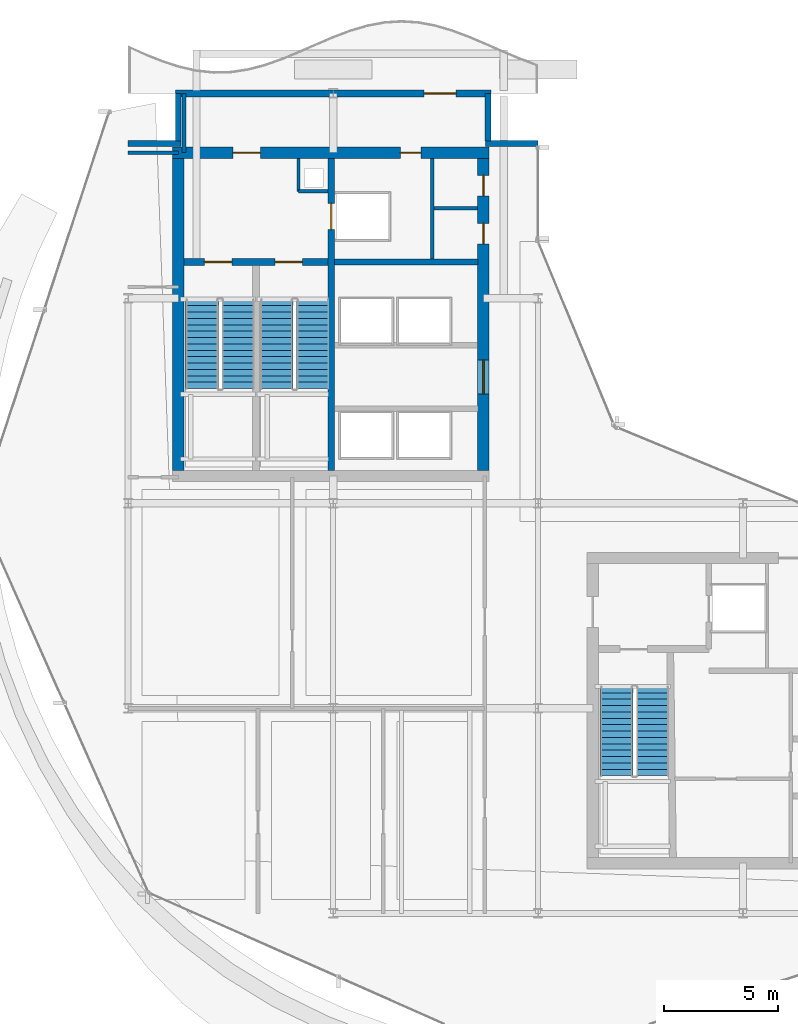
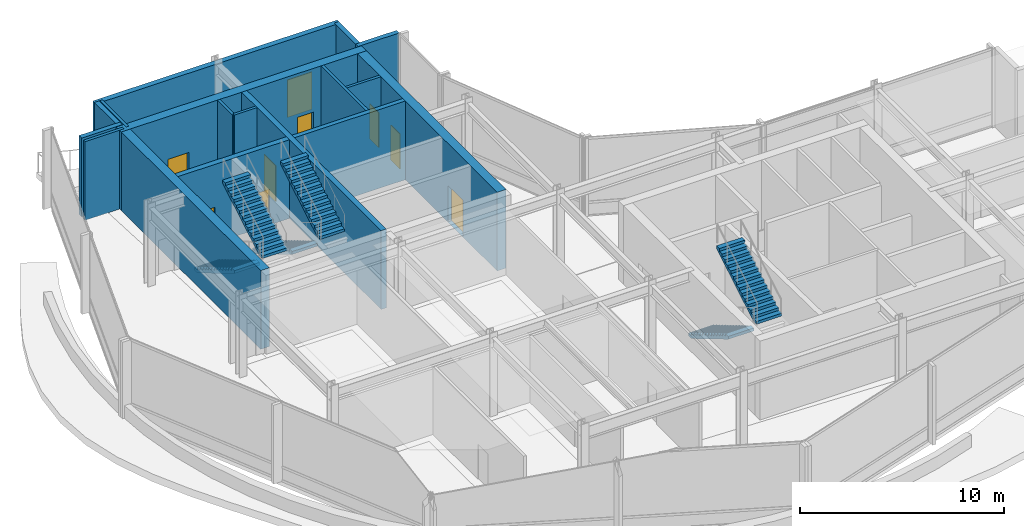
# One storey, part 22 of 29: 17 walls, 9 doors, 6 stair flights, 9 openings, 3 elements without a shape of their own.
"""IFC4 building model written with IfcOpenShell, lengths in metres."""

from ifc_helpers import new_model, si_unit, direction, frame, frame_2d, origin, place, context, subcontext, project, spatial, polyline, rectangle, outline, extrude, material, layer, layer_set, type_object, element, fill, aggregate, save


model = new_model("IFC4")

# Units and contexts
model_context = context("Model", 3, precision=1e-05, world=origin(), true_north=direction((0.0, 1.0)))
body_context = subcontext(model_context, "Body", "Model", "MODEL_VIEW")
ifc_project = project(units=[si_unit("LENGTHUNIT", "METRE"), si_unit("AREAUNIT", "SQUARE_METRE"), si_unit("VOLUMEUNIT", "CUBIC_METRE"), si_unit("PLANEANGLEUNIT", "RADIAN"), si_unit("MASSUNIT", "GRAM", prefix="KILO")], contexts=[model_context])

# Site, building, storey
site_placement = place(None, origin())
site = spatial("IfcSite", under=ifc_project, at=site_placement, CompositionType="ELEMENT")
building_placement = place(site_placement, origin())
building = spatial("IfcBuilding", under=site, at=building_placement, Name="Solvaryn Broadcast Tower", CompositionType="ELEMENT")
storey_placement = place(building_placement, frame((0.0, 0.0, 169.199951171875)))
storey = spatial("IfcBuildingStorey", under=building, at=storey_placement, Name="L42", CompositionType="ELEMENT", Elevation=169.199951171875)

# Wall, openings, doors
ifc_material_1 = material(Name="Concrete f'c 70 MPa", Category="concrete")
ifc_layer_1 = layer(ifc_material_1, 0.5)
ifc_layer_set_1 = layer_set([ifc_layer_1], Name="CW-SHEAR-500")
wall_type_1 = type_object("IfcWallType", Name="CW-SHEAR-500", PredefinedType="SHEAR", material=ifc_layer_set_1)
wall_1_placement = place(storey_placement, frame((24.85009765625, 42.39990234375, 0.0), z_axis=(0.0, 0.0, 1.0), x_axis=(-1.0, 0.0, 0.0)))
wall_1 = element("IfcWall", 1, at=wall_1_placement, inside=storey, type_object=wall_type_1, Name="L42 West Core North Shear Wall", PredefinedType="SHEAR", context=body_context, shape_type="SweptSolid", body=[
    extrude(rectangle(XDim=13.900146484375, YDim=0.5, at=frame_2d((6.9501953125, 0.0))), origin(), (0.0, 0.0, 1.0), 4.719970703125),
])
opening_1_placement = place(wall_1_placement, frame((10.050048828125, 0.0, 0.0)))
opening_1 = element("IfcOpeningElement", 2, at=opening_1_placement, cuts=wall_1, Name="Opening FD90A", PredefinedType="OPENING", context=body_context, shape_type="SweptSolid", body=[
    extrude(rectangle(XDim=1.199951171875, YDim=2.14990234375, at=frame_2d((0.60009765625, 1.074951171875))), frame((0.0, 0.260009765625, 0.0), z_axis=(0.0, -1.0, 0.0), x_axis=(1.0, 0.0, 0.0)), (0.0, 0.0, 1.0), 0.52001953125),
])
opening_2_placement = place(wall_1_placement, frame((3.0, 0.0, 0.0)))
opening_2 = element("IfcOpeningElement", 3, at=opening_2_placement, cuts=wall_1, Name="Opening FD60C", PredefinedType="OPENING", context=body_context, shape_type="SweptSolid", body=[
    extrude(rectangle(XDim=0.89990234375, YDim=2.10009765625, at=frame_2d((0.449951171875, 1.050048828125))), frame((0.0, 0.260009765625, 0.0), z_axis=(0.0, -1.0, 0.0), x_axis=(1.0, 0.0, 0.0)), (0.0, 0.0, 1.0), 0.52001953125),
])
ifc_material_2 = material(Name="Flush Acoustic Steel and Timber Door Assembly", Category="steel")
door_type_1 = type_object("IfcDoorType", Name="FD60-SERV-900X2100", OperationType="NOTDEFINED", PredefinedType="DOOR", material=ifc_material_2)
door_1_placement = place(opening_2_placement, origin())
door_1 = element("IfcDoor", 4, at=door_1_placement, inside=storey, type_object=door_type_1, Name="L42 West Core Fiber Riser Door", OperationType="SINGLE_SWING_RIGHT", OverallHeight=2.10009765625, OverallWidth=0.89990234375, PredefinedType="DOOR", context=body_context, shape_type="SweptSolid", body=[
    extrude(rectangle(XDim=0.89990234375, YDim=2.10009765625, at=frame_2d((0.449951171875, 1.050048828125))), frame((0.0, 0.02490234375, 0.0), z_axis=(0.0, -1.0, 0.0), x_axis=(1.0, 0.0, 0.0)), (0.0, 0.0, 1.0), 0.050048828125),
])
fill(opening_2, door_1)
ifc_material_3 = material(Name="Flush Acoustic Steel and Timber Door Assembly", Category="steel")
door_type_2 = type_object("IfcDoorType", Name="FD90-STAIR-1200X2150", OperationType="NOTDEFINED", PredefinedType="DOOR", material=ifc_material_3)
door_2_placement = place(opening_1_placement, origin())
door_2 = element("IfcDoor", 5, at=door_2_placement, inside=storey, type_object=door_type_2, Name="L42 West FSAE Lobby Corridor Door", OperationType="SINGLE_SWING_LEFT", OverallHeight=2.14990234375, OverallWidth=1.199951171875, PredefinedType="DOOR", context=body_context, shape_type="SweptSolid", body=[
    extrude(rectangle(XDim=1.199951171875, YDim=2.14990234375, at=frame_2d((0.60009765625, 1.074951171875))), frame((0.0, 0.02490234375, 0.0), z_axis=(0.0, -1.0, 0.0), x_axis=(1.0, 0.0, 0.0)), (0.0, 0.0, 1.0), 0.050048828125),
])
fill(opening_1, door_2)

# Wall
wall_2_placement = place(storey_placement, frame((11.199951171875, 42.14990234375, 0.0), z_axis=(0.0, 0.0, 1.0), x_axis=(0.0, -1.0, 0.0)))
element("IfcWall", 6, at=wall_2_placement, inside=storey, type_object=wall_type_1, Name="L42 West Core West Shear Wall", PredefinedType="SHEAR", context=body_context, shape_type="SweptSolid", body=[
    extrude(rectangle(XDim=13.699951171875, YDim=0.5, at=frame_2d((6.85009765625, 0.0))), origin(), (0.0, 0.0, 1.0), 4.719970703125),
])

# Wall, openings, doors
wall_3_placement = place(storey_placement, frame((24.60009765625, 28.449951171875, 0.0), z_axis=(0.0, 0.0, 1.0), x_axis=(0.0, 1.0, 0.0)))
wall_3 = element("IfcWall", 7, at=wall_3_placement, inside=storey, type_object=wall_type_1, Name="L42 West Core East Shear Wall", PredefinedType="SHEAR", context=body_context, shape_type="SweptSolid", body=[
    extrude(rectangle(XDim=13.699951171875, YDim=0.5, at=frame_2d((6.85009765625, 0.0))), origin(), (0.0, 0.0, 1.0), 4.719970703125),
])
opening_3_placement = place(wall_3_placement, frame((3.35009765625, 0.0, 0.0)))
opening_3 = element("IfcOpeningElement", 8, at=opening_3_placement, cuts=wall_3, Name="Opening FD60A", PredefinedType="OPENING", context=body_context, shape_type="SweptSolid", body=[
    extrude(rectangle(XDim=1.5, YDim=2.199951171875, at=frame_2d((0.75, 1.10009765625))), frame((0.0, 0.260009765625, 0.0), z_axis=(0.0, -1.0, 0.0), x_axis=(1.0, 0.0, 0.0)), (0.0, 0.0, 1.0), 0.52001953125),
])
opening_4_placement = place(wall_3_placement, frame((9.949951171875, 0.0, 0.0)))
opening_4 = element("IfcOpeningElement", 9, at=opening_4_placement, cuts=wall_3, Name="Opening FD60C", PredefinedType="OPENING", context=body_context, shape_type="SweptSolid", body=[
    extrude(rectangle(XDim=0.89990234375, YDim=2.10009765625, at=frame_2d((0.449951171875, 1.050048828125))), frame((0.0, 0.260009765625, 0.0), z_axis=(0.0, -1.0, 0.0), x_axis=(1.0, 0.0, 0.0)), (0.0, 0.0, 1.0), 0.52001953125),
])
opening_5_placement = place(wall_3_placement, frame((12.050048828125, 0.0, 0.0)))
opening_5 = element("IfcOpeningElement", 10, at=opening_5_placement, cuts=wall_3, Name="Opening FD60C", PredefinedType="OPENING", context=body_context, shape_type="SweptSolid", body=[
    extrude(rectangle(XDim=0.89990234375, YDim=2.10009765625, at=frame_2d((0.449951171875, 1.050048828125))), frame((0.0, 0.260009765625, 0.0), z_axis=(0.0, -1.0, 0.0), x_axis=(1.0, 0.0, 0.0)), (0.0, 0.0, 1.0), 0.52001953125),
])
ifc_material_4 = material(Name="Flush Acoustic Steel and Timber Door Assembly", Category="steel")
door_type_3 = type_object("IfcDoorType", Name="FD60-CORR-1500X2200", OperationType="NOTDEFINED", PredefinedType="DOOR", material=ifc_material_4)
door_3_placement = place(opening_3_placement, origin())
door_3 = element("IfcDoor", 11, at=door_3_placement, inside=storey, type_object=door_type_3, Name="L42 West Elevator Lobby Corridor Door", OperationType="DOUBLE_DOOR_SINGLE_SWING", OverallHeight=2.199951171875, OverallWidth=1.5, PredefinedType="DOOR", context=body_context, shape_type="SweptSolid", body=[
    extrude(rectangle(XDim=1.5, YDim=2.199951171875, at=frame_2d((0.75, 1.10009765625))), frame((0.0, 0.02490234375, 0.0), z_axis=(0.0, -1.0, 0.0), x_axis=(1.0, 0.0, 0.0)), (0.0, 0.0, 1.0), 0.050048828125),
])
fill(opening_3, door_3)
door_4_placement = place(opening_4_placement, origin())
door_4 = element("IfcDoor", 12, at=door_4_placement, inside=storey, type_object=door_type_1, Name="L42 West Core Service Door 1", OperationType="SINGLE_SWING_LEFT", OverallHeight=2.10009765625, OverallWidth=0.89990234375, PredefinedType="DOOR", context=body_context, shape_type="SweptSolid", body=[
    extrude(rectangle(XDim=0.89990234375, YDim=2.10009765625, at=frame_2d((0.449951171875, 1.050048828125))), frame((0.0, 0.02490234375, 0.0), z_axis=(0.0, -1.0, 0.0), x_axis=(1.0, 0.0, 0.0)), (0.0, 0.0, 1.0), 0.050048828125),
])
fill(opening_4, door_4)
door_5_placement = place(opening_5_placement, origin())
door_5 = element("IfcDoor", 13, at=door_5_placement, inside=storey, type_object=door_type_1, Name="L42 West Core Janitor Door", OperationType="SINGLE_SWING_RIGHT", OverallHeight=2.10009765625, OverallWidth=0.89990234375, PredefinedType="DOOR", context=body_context, shape_type="SweptSolid", body=[
    extrude(rectangle(XDim=0.89990234375, YDim=2.10009765625, at=frame_2d((0.449951171875, 1.050048828125))), frame((0.0, 0.02490234375, 0.0), z_axis=(0.0, -1.0, 0.0), x_axis=(1.0, 0.0, 0.0)), (0.0, 0.0, 1.0), 0.050048828125),
])
fill(opening_5, door_5)

# Walls
ifc_material_5 = material(Name="Concrete f'c 50 MPa", Category="concrete")
ifc_layer_2 = layer(ifc_material_5, 0.260009765625)
ifc_layer_set_2 = layer_set([ifc_layer_2], Name="EW-PIER-260")
wall_type_2 = type_object("IfcWallType", Name="EW-PIER-260", PredefinedType="SOLIDWALL", material=ifc_layer_set_2)
wall_4_placement = place(storey_placement, frame((9.0, 42.800048828125, 0.0), z_axis=(0.0, 0.0, 1.0), x_axis=(1.0, 0.0, 0.0)))
element("IfcWall", 14, at=wall_4_placement, inside=storey, type_object=wall_type_2, Name="L42 Notched Corner Pier Wall NNW1", PredefinedType="SOLIDWALL", context=body_context, shape_type="SweptSolid", body=[
    extrude(rectangle(XDim=2.320068359375, YDim=0.260009765625, at=frame_2d((1.16015625, 0.0))), origin(), (0.0, 0.0, 1.0), 4.719970703125),
])
for number, where, z_axis, x_axis, name in (
    (15, (11.199951171875, 42.919921875, 0.0), (0.0, 0.0, 1.0), (0.0, 1.0, 0.0), "L42 Notched Corner Pier Wall NNW2"),
    (16, (24.800048828125, 45.0, 0.0), (0.0, 0.0, 1.0), (0.0, -1.0, 0.0), "L42 Notched Corner Pier Wall NNE1"),
):
    element("IfcWall", number, at=place(storey_placement, frame(where, z_axis=z_axis, x_axis=x_axis)), inside=storey, type_object=wall_type_2, Name=name, PredefinedType="SOLIDWALL", context=body_context, shape_type="SweptSolid", body=[
        extrude(rectangle(XDim=2.080078125, YDim=0.260009765625, at=frame_2d((1.0400390625, 0.0))), origin(), (0.0, 0.0, 1.0), 4.719970703125),
    ])
wall_5_placement = place(storey_placement, frame((24.679931640625, 42.800048828125, 0.0), z_axis=(0.0, 0.0, 1.0), x_axis=(1.0, 0.0, 0.0)))
element("IfcWall", 17, at=wall_5_placement, inside=storey, type_object=wall_type_2, Name="L42 Notched Corner Pier Wall NNE2", PredefinedType="SOLIDWALL", context=body_context, shape_type="SweptSolid", body=[
    extrude(rectangle(XDim=2.320068359375, YDim=0.260009765625, at=frame_2d((1.16015625, 0.0))), origin(), (0.0, 0.0, 1.0), 4.719970703125),
])

# Wall, opening, door
ifc_material_6 = material(Name="Concrete f'c 50 MPa", Category="concrete")
ifc_layer_3 = layer(ifc_material_6, 0.300048828125)
ifc_layer_set_3 = layer_set([ifc_layer_3], Name="EW-TER-300")
wall_type_3 = type_object("IfcWallType", Name="EW-TER-300", PredefinedType="SOLIDWALL", material=ifc_layer_set_3)
wall_6_placement = place(storey_placement, frame((11.070068359375, 45.0, 0.0), z_axis=(0.0, 0.0, 1.0), x_axis=(1.0, 0.0, 0.0)))
wall_6 = element("IfcWall", 18, at=wall_6_placement, inside=storey, type_object=wall_type_3, Name="L42 North Sky-Garden Wall", PredefinedType="SOLIDWALL", context=body_context, shape_type="SweptSolid", body=[
    extrude(rectangle(XDim=13.85986328125, YDim=0.300048828125, at=frame_2d((6.929931640625, 0.0))), origin(), (0.0, 0.0, 1.0), 4.719970703125),
])
opening_6_placement = place(wall_6_placement, frame((10.929931640625, 0.0, 0.0)))
opening_6 = element("IfcOpeningElement", 19, at=opening_6_placement, cuts=wall_6, Name="Opening EDS42", PredefinedType="OPENING", context=body_context, shape_type="SweptSolid", body=[
    extrude(rectangle(XDim=1.39990234375, YDim=2.25, at=frame_2d((0.699951171875, 1.125))), frame((0.0, 0.159912109375, 0.0), z_axis=(0.0, -1.0, 0.0), x_axis=(1.0, 0.0, 0.0)), (0.0, 0.0, 1.0), 0.320068359375),
])
ifc_material_7 = material(Name="Insulated Architectural Aluminium and Glazing", Category="aluminium")
door_type_4 = type_object("IfcDoorType", Name="ED-SKYG-1400X2250", OperationType="NOTDEFINED", PredefinedType="DOOR", material=ifc_material_7)
door_6_placement = place(opening_6_placement, origin())
door_6 = element("IfcDoor", 20, at=door_6_placement, inside=storey, type_object=door_type_4, Name="L42 North Sky-Garden Terrace Door", OperationType="SINGLE_SWING_LEFT", OverallHeight=2.25, OverallWidth=1.39990234375, PredefinedType="DOOR", context=body_context, shape_type="SweptSolid", body=[
    extrude(rectangle(XDim=1.39990234375, YDim=2.25, at=frame_2d((0.699951171875, 1.125))), frame((0.0, 0.02490234375, 0.0), z_axis=(0.0, -1.0, 0.0), x_axis=(1.0, 0.0, 0.0)), (0.0, 0.0, 1.0), 0.050048828125),
])
fill(opening_6, door_6)

# Walls
ifc_material_8 = material(Name="Metal-Stud Service Core Partition")
ifc_layer_4 = layer(ifc_material_8, 0.14990234375)
ifc_layer_set_4 = layer_set([ifc_layer_4], Name="IW-PART-150")
wall_type_4 = type_object("IfcWallType", Name="IW-PART-150", PredefinedType="PARTITIONING", material=ifc_layer_set_4)
wall_7_placement = place(storey_placement, frame((16.47998046875, 40.699951171875, 0.0), z_axis=(0.0, 0.0, 1.0), x_axis=(1.0, 0.0, 0.0)))
element("IfcWall", 21, at=wall_7_placement, inside=storey, type_object=wall_type_4, Name="L42 West Core Riser Shaft South Wall", PredefinedType="PARTITIONING", context=body_context, shape_type="SweptSolid", body=[
    extrude(rectangle(XDim=1.2900390625, YDim=0.14990234375, at=frame_2d((0.64501953125, 0.0))), origin(), (0.0, 0.0, 1.0), 4.719970703125),
])
wall_8_placement = place(storey_placement, frame((16.47998046875, 40.699951171875, 0.0), z_axis=(0.0, 0.0, 1.0), x_axis=(0.0, 1.0, 0.0)))
element("IfcWall", 22, at=wall_8_placement, inside=storey, type_object=wall_type_4, Name="L42 West Core Riser Shaft West Wall", PredefinedType="PARTITIONING", context=body_context, shape_type="SweptSolid", body=[
    extrude(rectangle(XDim=1.449951171875, YDim=0.14990234375, at=frame_2d((0.72509765625, 0.0))), origin(), (0.0, 0.0, 1.0), 4.719970703125),
])
wall_9_placement = place(storey_placement, frame((22.35009765625, 37.72998046875, 0.0), z_axis=(0.0, 0.0, 1.0), x_axis=(0.0, 1.0, 0.0)))
element("IfcWall", 23, at=wall_9_placement, inside=storey, type_object=wall_type_4, Name="L42 Interior Partition IW-L42-CWS-V", PredefinedType="PARTITIONING", context=body_context, shape_type="SweptSolid", body=[
    extrude(rectangle(XDim=4.419921875, YDim=0.14990234375, at=frame_2d((2.2099609375, 0.0))), origin(), (0.0, 0.0, 1.0), 4.719970703125),
])
wall_10_placement = place(storey_placement, frame((22.429931640625, 39.949951171875, 0.0), z_axis=(0.0, 0.0, 1.0), x_axis=(1.0, 0.0, 0.0)))
element("IfcWall", 24, at=wall_10_placement, inside=storey, type_object=wall_type_4, Name="L42 Interior Partition IW-L42-CWS-H", PredefinedType="PARTITIONING", context=body_context, shape_type="SweptSolid", body=[
    extrude(rectangle(XDim=1.920166015625, YDim=0.14990234375, at=frame_2d((0.9599609375, 0.0))), origin(), (0.0, 0.0, 1.0), 4.719970703125),
])
ifc_material_9 = material(Name="Metal-Stud Gypsum Office Partition")
ifc_layer_5 = layer(ifc_material_9, 0.159912109375)
ifc_layer_set_5 = layer_set([ifc_layer_5], Name="IW-PART-160")
wall_type_5 = type_object("IfcWallType", Name="IW-PART-160", PredefinedType="PARTITIONING", material=ifc_layer_set_5)
wall_11_placement = place(storey_placement, frame((9.0, 42.39990234375, 0.0), z_axis=(0.0, 0.0, 1.0), x_axis=(1.0, 0.0, 0.0)))
element("IfcWall", 25, at=wall_11_placement, inside=storey, type_object=wall_type_5, Name="L42 Interior Partition IW-L42-WM-N", PredefinedType="PARTITIONING", context=body_context, shape_type="SweptSolid", body=[
    extrude(rectangle(XDim=2.199951171875, YDim=0.159912109375, at=frame_2d((1.10009765625, 0.0))), origin(), (0.0, 0.0, 1.0), 4.719970703125),
])
wall_12_placement = place(storey_placement, frame((11.449951171875, 42.39990234375, 0.0), z_axis=(0.0, 0.0, 1.0), x_axis=(0.0, 1.0, 0.0)))
element("IfcWall", 26, at=wall_12_placement, inside=storey, type_object=wall_type_5, Name="L42 Interior Partition IW-L42-WM-E", PredefinedType="PARTITIONING", context=body_context, shape_type="SweptSolid", body=[
    extrude(rectangle(XDim=2.60009765625, YDim=0.159912109375, at=frame_2d((1.300048828125, 0.0))), origin(), (0.0, 0.0, 1.0), 4.719970703125),
])
ifc_material_10 = material(Name="Concrete f'c 60 MPa", Category="concrete")
ifc_layer_6 = layer(ifc_material_10, 0.25)
ifc_layer_set_6 = layer_set([ifc_layer_6], Name="SW-SHAFT-250")
wall_type_6 = type_object("IfcWallType", Name="SW-SHAFT-250", PredefinedType="PARTITIONING", material=ifc_layer_set_6)
wall_13_placement = place(storey_placement, frame((18.070068359375, 37.60009765625, 0.0), z_axis=(0.0, 0.0, 1.0), x_axis=(1.0, 0.0, 0.0)))
element("IfcWall", 27, at=wall_13_placement, inside=storey, type_object=wall_type_6, Name="L42 West Core FSAE Hoistway Front Wall", PredefinedType="PARTITIONING", context=body_context, shape_type="SweptSolid", body=[
    extrude(rectangle(XDim=6.280029296875, YDim=0.25, at=frame_2d((3.14013671875, 0.0))), origin(), (0.0, 0.0, 1.0), 4.719970703125),
])

# Wall, opening, door
ifc_material_11 = material(Name="Concrete f'c 70 MPa", Category="concrete")
ifc_layer_7 = layer(ifc_material_11, 0.300048828125)
ifc_layer_set_7 = layer_set([ifc_layer_7], Name="SW-SHAFT-300")
wall_type_7 = type_object("IfcWallType", Name="SW-SHAFT-300", PredefinedType="SHEAR", material=ifc_layer_set_7)
wall_14_placement = place(storey_placement, frame((17.919921875, 42.14990234375, 0.0), z_axis=(0.0, 0.0, 1.0), x_axis=(0.0, -1.0, 0.0)))
wall_14 = element("IfcWall", 28, at=wall_14_placement, inside=storey, type_object=wall_type_7, Name="L42 West Core Stair-Lobby Shear Wall", PredefinedType="SHEAR", context=body_context, shape_type="SweptSolid", body=[
    extrude(rectangle(XDim=13.699951171875, YDim=0.300048828125, at=frame_2d((6.85009765625, 0.0))), origin(), (0.0, 0.0, 1.0), 4.719970703125),
])
opening_7_placement = place(wall_14_placement, frame((1.97509765625, 0.0, 0.0)))
opening_7 = element("IfcOpeningElement", 29, at=opening_7_placement, cuts=wall_14, Name="Opening LD01", PredefinedType="OPENING", context=body_context, shape_type="SweptSolid", body=[
    extrude(rectangle(XDim=1.14990234375, YDim=2.14990234375, at=frame_2d((0.574951171875, 1.074951171875))), frame((0.0, 0.159912109375, 0.0), z_axis=(0.0, -1.0, 0.0), x_axis=(1.0, 0.0, 0.0)), (0.0, 0.0, 1.0), 0.320068359375),
])
ifc_material_12 = material(Name="Flush Acoustic Steel and Timber Door Assembly", Category="steel")
door_type_5 = type_object("IfcDoorType", Name="LD-LIFT-1150X2150", OperationType="NOTDEFINED", PredefinedType="DOOR", material=ifc_material_12)
door_7_placement = place(opening_7_placement, origin())
door_7 = element("IfcDoor", 30, at=door_7_placement, inside=storey, type_object=door_type_5, Name="L42 FL1 Lift Landing Door", OperationType="DOUBLE_DOOR_SLIDING", OverallHeight=2.14990234375, OverallWidth=1.14990234375, PredefinedType="DOOR", context=body_context, shape_type="SweptSolid", body=[
    extrude(rectangle(XDim=1.14990234375, YDim=2.14990234375, at=frame_2d((0.574951171875, 1.074951171875))), frame((0.0, 0.02490234375, 0.0), z_axis=(0.0, -1.0, 0.0), x_axis=(1.0, 0.0, 0.0)), (0.0, 0.0, 1.0), 0.050048828125),
])
fill(opening_7, door_7)

# Wall, openings, doors
wall_15_placement = place(storey_placement, frame((17.77001953125, 37.60009765625, 0.0), z_axis=(0.0, 0.0, 1.0), x_axis=(-1.0, 0.0, 0.0)))
wall_15 = element("IfcWall", 31, at=wall_15_placement, inside=storey, type_object=wall_type_7, Name="L42 West Core FSAE Lobby South Wall", PredefinedType="SHEAR", context=body_context, shape_type="SweptSolid", body=[
    extrude(rectangle(XDim=6.320068359375, YDim=0.300048828125, at=frame_2d((3.16015625, 0.0))), origin(), (0.0, 0.0, 1.0), 4.719970703125),
])
opening_8_placement = place(wall_15_placement, frame((4.219970703125, 0.0, 0.0)))
opening_8 = element("IfcOpeningElement", 32, at=opening_8_placement, cuts=wall_15, Name="Opening FD90A", PredefinedType="OPENING", context=body_context, shape_type="SweptSolid", body=[
    extrude(rectangle(XDim=1.199951171875, YDim=2.14990234375, at=frame_2d((0.60009765625, 1.074951171875))), frame((0.0, 0.159912109375, 0.0), z_axis=(0.0, -1.0, 0.0), x_axis=(1.0, 0.0, 0.0)), (0.0, 0.0, 1.0), 0.320068359375),
])
opening_9_placement = place(wall_15_placement, frame((1.1201171875, 0.0, 0.0)))
opening_9 = element("IfcOpeningElement", 33, at=opening_9_placement, cuts=wall_15, Name="Opening FD90A", PredefinedType="OPENING", context=body_context, shape_type="SweptSolid", body=[
    extrude(rectangle(XDim=1.199951171875, YDim=2.14990234375, at=frame_2d((0.60009765625, 1.074951171875))), frame((0.0, 0.159912109375, 0.0), z_axis=(0.0, -1.0, 0.0), x_axis=(1.0, 0.0, 0.0)), (0.0, 0.0, 1.0), 0.320068359375),
])
door_8_placement = place(opening_8_placement, origin())
door_8 = element("IfcDoor", 34, at=door_8_placement, inside=storey, type_object=door_type_2, Name="L42 Stair 1 Fire Door", OperationType="SINGLE_SWING_LEFT", OverallHeight=2.14990234375, OverallWidth=1.199951171875, PredefinedType="DOOR", context=body_context, shape_type="SweptSolid", body=[
    extrude(rectangle(XDim=1.199951171875, YDim=2.14990234375, at=frame_2d((0.60009765625, 1.074951171875))), frame((0.0, 0.02490234375, 0.0), z_axis=(0.0, -1.0, 0.0), x_axis=(1.0, 0.0, 0.0)), (0.0, 0.0, 1.0), 0.050048828125),
])
fill(opening_8, door_8)
door_9_placement = place(opening_9_placement, origin())
door_9 = element("IfcDoor", 35, at=door_9_placement, inside=storey, type_object=door_type_2, Name="L42 Stair 2 Fire Door", OperationType="SINGLE_SWING_RIGHT", OverallHeight=2.14990234375, OverallWidth=1.199951171875, PredefinedType="DOOR", context=body_context, shape_type="SweptSolid", body=[
    extrude(rectangle(XDim=1.199951171875, YDim=2.14990234375, at=frame_2d((0.60009765625, 1.074951171875))), frame((0.0, 0.02490234375, 0.0), z_axis=(0.0, -1.0, 0.0), x_axis=(1.0, 0.0, 0.0)), (0.0, 0.0, 1.0), 0.050048828125),
])
fill(opening_9, door_9)

# Stair, stair flights
ifc_material_13 = material(Name="Concrete f'c 60 MPa", Category="concrete")
stair_type = type_object("IfcStairType", Name="ST-CORE", PredefinedType="HALF_TURN_STAIR", material=ifc_material_13)
stair_1_placement = place(storey_placement, origin())
stair_1 = element("IfcStair", 36, at=stair_1_placement, inside=storey, type_object=stair_type, Name="L42 ST1", PredefinedType="HALF_TURN_STAIR")
ifc_material_14 = material(Name="Concrete f'c 60 MPa", Category="concrete")
ifc_layer_8 = layer(ifc_material_14, 0.159912109375)
ifc_layer_set_8 = layer_set([ifc_layer_8], Name="SF-CORE")
stair_flight_type = type_object("IfcStairFlightType", Name="SF-CORE", PredefinedType="STRAIGHT", material=ifc_layer_set_8)
stair_flight_1_placement = place(storey_placement, frame((12.239990234375, 35.9599609375, 0.0), z_axis=(0.0, 0.0, 1.0), x_axis=(0.0, -1.0, 0.0)))
stair_flight_1 = element("IfcStairFlight", 37, at=stair_flight_1_placement, type_object=stair_flight_type, Name="ST1 flight 1", NumberOfRisers=15, NumberOfTreads=14, PredefinedType="STRAIGHT", RiserHeight=0.166666667, TreadLength=0.28, context=body_context, shape_type="SweptSolid", body=[
    extrude(outline(polyline([(0.0, 0.0), (0.0, 0.166748046875), (0.280029296875, 0.166748046875), (0.280029296875, 0.333251953125), (0.56005859375, 0.333251953125), (0.56005859375, 0.5), (0.840087890625, 0.5), (0.840087890625, 0.666748046875), (1.1201171875, 0.666748046875), (1.1201171875, 0.833251953125), (1.39990234375, 0.833251953125), (1.39990234375, 1.0), (1.679931640625, 1.0), (1.679931640625, 1.166748046875), (1.9599609375, 1.166748046875), (1.9599609375, 1.333251953125), (2.239990234375, 1.333251953125), (2.239990234375, 1.5), (2.52001953125, 1.5), (2.52001953125, 1.666748046875), (2.800048828125, 1.666748046875), (2.800048828125, 1.833251953125), (3.080078125, 1.833251953125), (3.080078125, 2.0), (3.360107421875, 2.0), (3.360107421875, 2.166748046875), (3.639892578125, 2.166748046875), (3.639892578125, 2.333251953125), (3.919921875, 2.333251953125), (3.919921875, 2.5), (3.919921875, 2.158935546875), (0.29296875, 0.0), (0.0, 0.0)])), frame((0.0, 0.719970703125, 0.0), z_axis=(0.0, -1.0, 0.0), x_axis=(1.0, 0.0, 0.0)), (0.0, 0.0, 1.0), 1.43994140625),
])
stair_flight_2_placement = place(storey_placement, frame((13.830078125, 32.0400390625, 2.5), z_axis=(0.0, 0.0, 1.0), x_axis=(0.0, 1.0, 0.0)))
stair_flight_2 = element("IfcStairFlight", 38, at=stair_flight_2_placement, type_object=stair_flight_type, Name="ST1 flight 2", NumberOfRisers=15, NumberOfTreads=14, PredefinedType="STRAIGHT", RiserHeight=0.166666667, TreadLength=0.28, context=body_context, shape_type="SweptSolid", body=[
    extrude(outline(polyline([(0.0, 0.0), (0.0, 0.166748046875), (0.280029296875, 0.166748046875), (0.280029296875, 0.333251953125), (0.56005859375, 0.333251953125), (0.56005859375, 0.5), (0.840087890625, 0.5), (0.840087890625, 0.666748046875), (1.1201171875, 0.666748046875), (1.1201171875, 0.833251953125), (1.39990234375, 0.833251953125), (1.39990234375, 1.0), (1.679931640625, 1.0), (1.679931640625, 1.166748046875), (1.9599609375, 1.166748046875), (1.9599609375, 1.333251953125), (2.239990234375, 1.333251953125), (2.239990234375, 1.5), (2.52001953125, 1.5), (2.52001953125, 1.666748046875), (2.800048828125, 1.666748046875), (2.800048828125, 1.833251953125), (3.080078125, 1.833251953125), (3.080078125, 2.0), (3.360107421875, 2.0), (3.360107421875, 2.166748046875), (3.639892578125, 2.166748046875), (3.639892578125, 2.333251953125), (3.919921875, 2.333251953125), (3.919921875, 2.5), (3.919921875, 2.158935546875), (0.29296875, 0.0), (0.0, 0.0)])), frame((0.0, 0.719970703125, 0.0), z_axis=(0.0, -1.0, 0.0), x_axis=(1.0, 0.0, 0.0)), (0.0, 0.0, 1.0), 1.43994140625),
])
aggregate(stair_1, [stair_flight_1, stair_flight_2])

stair_2_placement = place(storey_placement, origin())
stair_2 = element("IfcStair", 39, at=stair_2_placement, inside=storey, type_object=stair_type, Name="L42 ST2", PredefinedType="HALF_TURN_STAIR")
stair_flight_3_placement = place(storey_placement, frame((15.52001953125, 35.9599609375, 0.0), z_axis=(0.0, 0.0, 1.0), x_axis=(0.0, -1.0, 0.0)))
stair_flight_3 = element("IfcStairFlight", 40, at=stair_flight_3_placement, type_object=stair_flight_type, Name="ST2 flight 1", NumberOfRisers=15, NumberOfTreads=14, PredefinedType="STRAIGHT", RiserHeight=0.166666667, TreadLength=0.28, context=body_context, shape_type="SweptSolid", body=[
    extrude(outline(polyline([(0.0, 0.0), (0.0, 0.166748046875), (0.280029296875, 0.166748046875), (0.280029296875, 0.333251953125), (0.56005859375, 0.333251953125), (0.56005859375, 0.5), (0.840087890625, 0.5), (0.840087890625, 0.666748046875), (1.1201171875, 0.666748046875), (1.1201171875, 0.833251953125), (1.39990234375, 0.833251953125), (1.39990234375, 1.0), (1.679931640625, 1.0), (1.679931640625, 1.166748046875), (1.9599609375, 1.166748046875), (1.9599609375, 1.333251953125), (2.239990234375, 1.333251953125), (2.239990234375, 1.5), (2.52001953125, 1.5), (2.52001953125, 1.666748046875), (2.800048828125, 1.666748046875), (2.800048828125, 1.833251953125), (3.080078125, 1.833251953125), (3.080078125, 2.0), (3.360107421875, 2.0), (3.360107421875, 2.166748046875), (3.639892578125, 2.166748046875), (3.639892578125, 2.333251953125), (3.919921875, 2.333251953125), (3.919921875, 2.5), (3.919921875, 2.158935546875), (0.29296875, 0.0), (0.0, 0.0)])), frame((0.0, 0.719970703125, 0.0), z_axis=(0.0, -1.0, 0.0), x_axis=(1.0, 0.0, 0.0)), (0.0, 0.0, 1.0), 1.43994140625),
])
stair_flight_4_placement = place(storey_placement, frame((17.110107421875, 32.0400390625, 2.5), z_axis=(0.0, 0.0, 1.0), x_axis=(0.0, 1.0, 0.0)))
stair_flight_4 = element("IfcStairFlight", 41, at=stair_flight_4_placement, type_object=stair_flight_type, Name="ST2 flight 2", NumberOfRisers=15, NumberOfTreads=14, PredefinedType="STRAIGHT", RiserHeight=0.166666667, TreadLength=0.28, context=body_context, shape_type="SweptSolid", body=[
    extrude(outline(polyline([(0.0, 0.0), (0.0, 0.166748046875), (0.280029296875, 0.166748046875), (0.280029296875, 0.333251953125), (0.56005859375, 0.333251953125), (0.56005859375, 0.5), (0.840087890625, 0.5), (0.840087890625, 0.666748046875), (1.1201171875, 0.666748046875), (1.1201171875, 0.833251953125), (1.39990234375, 0.833251953125), (1.39990234375, 1.0), (1.679931640625, 1.0), (1.679931640625, 1.166748046875), (1.9599609375, 1.166748046875), (1.9599609375, 1.333251953125), (2.239990234375, 1.333251953125), (2.239990234375, 1.5), (2.52001953125, 1.5), (2.52001953125, 1.666748046875), (2.800048828125, 1.666748046875), (2.800048828125, 1.833251953125), (3.080078125, 1.833251953125), (3.080078125, 2.0), (3.360107421875, 2.0), (3.360107421875, 2.166748046875), (3.639892578125, 2.166748046875), (3.639892578125, 2.333251953125), (3.919921875, 2.333251953125), (3.919921875, 2.5), (3.919921875, 2.158935546875), (0.29296875, 0.0), (0.0, 0.0)])), frame((0.0, 0.719970703125, 0.0), z_axis=(0.0, -1.0, 0.0), x_axis=(1.0, 0.0, 0.0)), (0.0, 0.0, 1.0), 1.43994140625),
])
aggregate(stair_2, [stair_flight_3, stair_flight_4])

stair_3_placement = place(storey_placement, origin())
stair_3 = element("IfcStair", 42, at=stair_3_placement, inside=storey, type_object=stair_type, Name="L42 ST3", PredefinedType="HALF_TURN_STAIR")
stair_flight_5_placement = place(storey_placement, frame((30.43994140625, 18.9599609375, 0.0), z_axis=(0.0, 0.0, 1.0), x_axis=(0.0, -1.0, 0.0)))
stair_flight_5 = element("IfcStairFlight", 43, at=stair_flight_5_placement, type_object=stair_flight_type, Name="ST3 flight 1", NumberOfRisers=15, NumberOfTreads=14, PredefinedType="STRAIGHT", RiserHeight=0.166666667, TreadLength=0.28, context=body_context, shape_type="SweptSolid", body=[
    extrude(outline(polyline([(0.0, 0.0), (0.0, 0.166748046875), (0.280029296875, 0.166748046875), (0.280029296875, 0.333251953125), (0.56005859375, 0.333251953125), (0.56005859375, 0.5), (0.840087890625, 0.5), (0.840087890625, 0.666748046875), (1.1201171875, 0.666748046875), (1.1201171875, 0.833251953125), (1.39990234375, 0.833251953125), (1.39990234375, 1.0), (1.679931640625, 1.0), (1.679931640625, 1.166748046875), (1.9599609375, 1.166748046875), (1.9599609375, 1.333251953125), (2.239990234375, 1.333251953125), (2.239990234375, 1.5), (2.52001953125, 1.5), (2.52001953125, 1.666748046875), (2.800048828125, 1.666748046875), (2.800048828125, 1.833251953125), (3.080078125, 1.833251953125), (3.080078125, 2.0), (3.360107421875, 2.0), (3.360107421875, 2.166748046875), (3.639892578125, 2.166748046875), (3.639892578125, 2.333251953125), (3.919921875, 2.333251953125), (3.919921875, 2.5), (3.919921875, 2.158935546875), (0.29296875, 0.0), (0.0, 0.0)])), frame((0.0, 0.719970703125, 0.0), z_axis=(0.0, -1.0, 0.0), x_axis=(1.0, 0.0, 0.0)), (0.0, 0.0, 1.0), 1.43994140625),
])
stair_flight_6_placement = place(storey_placement, frame((32.030029296875, 15.0400390625, 2.5), z_axis=(0.0, 0.0, 1.0), x_axis=(0.0, 1.0, 0.0)))
stair_flight_6 = element("IfcStairFlight", 44, at=stair_flight_6_placement, type_object=stair_flight_type, Name="ST3 flight 2", NumberOfRisers=15, NumberOfTreads=14, PredefinedType="STRAIGHT", RiserHeight=0.166666667, TreadLength=0.28, context=body_context, shape_type="SweptSolid", body=[
    extrude(outline(polyline([(0.0, 0.0), (0.0, 0.166748046875), (0.280029296875, 0.166748046875), (0.280029296875, 0.333251953125), (0.56005859375, 0.333251953125), (0.56005859375, 0.5), (0.840087890625, 0.5), (0.840087890625, 0.666748046875), (1.1201171875, 0.666748046875), (1.1201171875, 0.833251953125), (1.39990234375, 0.833251953125), (1.39990234375, 1.0), (1.679931640625, 1.0), (1.679931640625, 1.166748046875), (1.9599609375, 1.166748046875), (1.9599609375, 1.333251953125), (2.239990234375, 1.333251953125), (2.239990234375, 1.5), (2.52001953125, 1.5), (2.52001953125, 1.666748046875), (2.800048828125, 1.666748046875), (2.800048828125, 1.833251953125), (3.080078125, 1.833251953125), (3.080078125, 2.0), (3.360107421875, 2.0), (3.360107421875, 2.166748046875), (3.639892578125, 2.166748046875), (3.639892578125, 2.333251953125), (3.919921875, 2.333251953125), (3.919921875, 2.5), (3.919921875, 2.158935546875), (0.29296875, 0.0), (0.0, 0.0)])), frame((0.0, 0.719970703125, 0.0), z_axis=(0.0, -1.0, 0.0), x_axis=(1.0, 0.0, 0.0)), (0.0, 0.0, 1.0), 1.43994140625),
])
aggregate(stair_3, [stair_flight_5, stair_flight_6])

save(model, "model.ifc")
